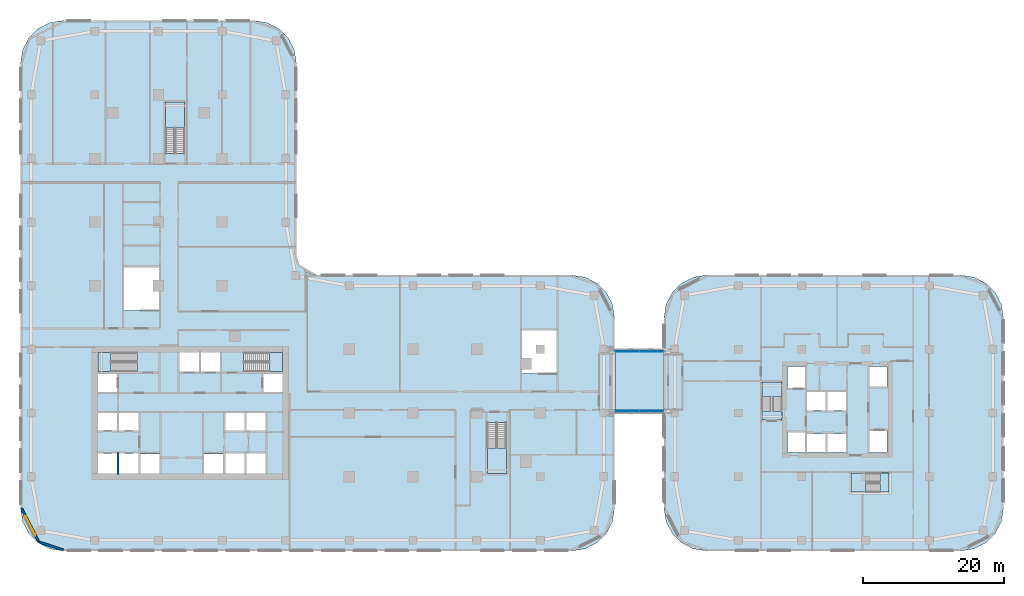
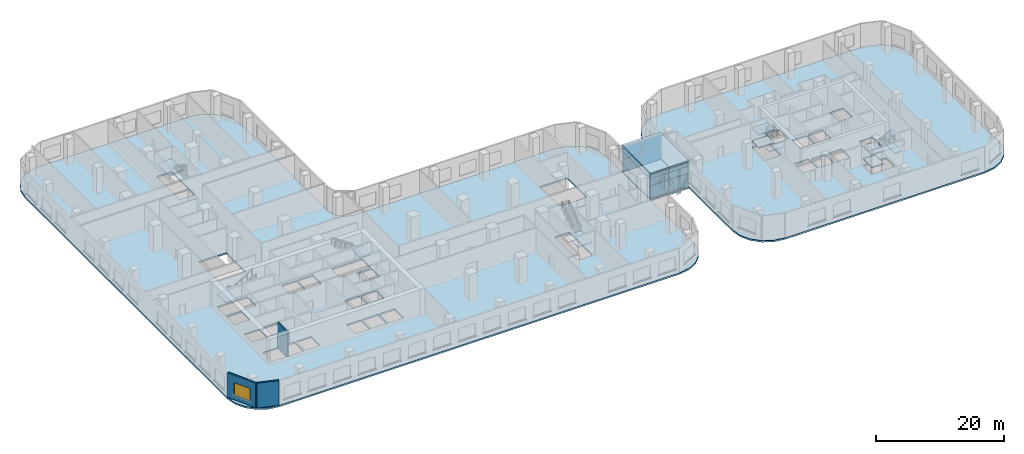
# One storey, part 5 of 33: 14 slabs, 8 plates, 3 walls, 1 window, 1 opening, 8 elements without a shape of their own.
"""IFC4 building model written with IfcOpenShell, lengths in metres."""

import ifcopenshell
import ifcopenshell.guid

model = None  # the IFC model being written
_history = None  # IfcOwnerHistory: only IFC2X3 demands one
_inside = {}  # id of a spatial element -> (the spatial element, [elements in it])
_under = {}  # id of a project, library or spatial element -> (it, [spatial elements below it])
_declared = {}  # id of a project -> (the project, [libraries it declares])
_typed = {}  # id of a type object -> (the type object, [elements of that type])
_made_of = {}  # id of a material, layer set ... -> (it, [elements and type objects made of it])


def new_model(schema):
    """Start an empty IFC model of exactly this schema.

    Asked for "IFC4X3", IfcOpenShell would pick the latest addendum, in which some entities
    have other attributes; the version numbers below select the first issue.
    IFC2X3 requires an IfcOwnerHistory on every rooted entity: one is made here for all.
    """
    global model, _history
    if schema == "IFC4X3":
        model = ifcopenshell.file(schema_version=(4, 3, 0, 0))
    else:
        model = ifcopenshell.file(schema=schema)
    _inside.clear()
    _under.clear()
    _declared.clear()
    _typed.clear()
    _made_of.clear()
    _history = None
    if model.schema == "IFC2X3":
        org = make("IfcOrganization", Name="unknown")
        user = make(
            "IfcPersonAndOrganization",
            ThePerson=make("IfcPerson", FamilyName="unknown"),
            TheOrganization=org,
        )
        app = make(
            "IfcApplication",
            ApplicationDeveloper=org,
            Version="unknown",
            ApplicationFullName="unknown",
            ApplicationIdentifier="unknown",
        )
        _history = make(
            "IfcOwnerHistory",
            OwningUser=user,
            OwningApplication=app,
            ChangeAction="ADDED",
            CreationDate=0,
        )
    return model


def make(cls, **values):
    """One entity of the class cls with the attributes given. An attribute that is None is left unset."""
    return model.create_entity(
        cls, **{name: value for name, value in values.items() if value is not None}
    )


def rooted(cls, **values):
    """An entity with a GlobalId (a new one), such as an element, a storey or a relation."""
    return make(cls, GlobalId=ifcopenshell.guid.new(), OwnerHistory=_history, **values)


def si_unit(unit_type, name, prefix=None):
    """IfcSIUnit, for example si_unit("LENGTHUNIT", "METRE", prefix="MILLI")."""
    return make("IfcSIUnit", UnitType=unit_type, Prefix=prefix, Name=name)


def assignment(units):
    """IfcUnitAssignment: the units of a project."""
    return None if units is None else make("IfcUnitAssignment", Units=units)


def point(xyz):
    """IfcCartesianPoint."""
    return None if xyz is None else make("IfcCartesianPoint", Coordinates=xyz)


def direction(xyz):
    """IfcDirection."""
    return None if xyz is None else make("IfcDirection", DirectionRatios=xyz)


def frame(location, z_axis=None, x_axis=None):
    """IfcAxis2Placement3D, a coordinate frame: its origin and axes. An axis left out is left unset."""
    return make(
        "IfcAxis2Placement3D",
        Location=point(location),
        Axis=direction(z_axis),
        RefDirection=direction(x_axis),
    )


def frame_2d(location, x_axis=None):
    """IfcAxis2Placement2D, a coordinate frame in the plane: its origin and x axis."""
    return make(
        "IfcAxis2Placement2D", Location=point(location), RefDirection=direction(x_axis)
    )


def origin():
    """The frame at (0, 0, 0) with its axes left unset."""
    return frame((0.0, 0.0, 0.0))


def origin_2d():
    """The frame at (0, 0) in the plane with its x axis left unset."""
    return frame_2d((0.0, 0.0))


def place(relative_to, where):
    """IfcLocalPlacement: puts the frame where relative to a parent placement (None: the world)."""
    return make(
        "IfcLocalPlacement", PlacementRelTo=relative_to, RelativePlacement=where
    )


def context(
    kind, dimensions, precision=None, world=None, true_north=None, identifier=None
):
    """IfcGeometricRepresentationContext, for example the 3D "Model" context."""
    return make(
        "IfcGeometricRepresentationContext",
        ContextIdentifier=identifier,
        ContextType=kind,
        CoordinateSpaceDimension=dimensions,
        Precision=precision,
        WorldCoordinateSystem=world,
        TrueNorth=true_north,
    )


def subcontext(parent, identifier, kind, view, scale=None):
    """IfcGeometricRepresentationSubContext, for example "Body" below "Model"."""
    return make(
        "IfcGeometricRepresentationSubContext",
        ContextIdentifier=identifier,
        ContextType=kind,
        ParentContext=parent,
        TargetScale=scale,
        TargetView=view,
    )


def project(units=None, contexts=None):
    """IfcProject with its units and contexts."""
    return rooted(
        "IfcProject",
        Name="project",
        RepresentationContexts=contexts,
        UnitsInContext=assignment(units),
    )


def spatial(cls, under=None, at=None, **own):
    """A site, building, storey or space (cls), placed at a placement, below another one or the project."""
    s = rooted(cls, ObjectPlacement=at, **own)
    if under is not None:
        _under.setdefault(under.id(), (under, []))[1].append(s)
    return s


def polyline(points):
    """IfcPolyline through the points."""
    return make("IfcPolyline", Points=[point(p) for p in points])


def profile(cls, at=None, kind="AREA", **sizes):
    """A parametric profile (cls). Its sizes go by their IFC names, for example OverallWidth=200.0."""
    return make(cls, ProfileType=kind, Position=at, **sizes)


def rectangle(**sizes):
    """IfcRectangleProfileDef."""
    return profile("IfcRectangleProfileDef", **sizes)


def outline(outer, holes=None, kind="AREA"):
    """IfcArbitraryClosedProfileDef: a profile drawn as a closed curve; with holes, ...WithVoids."""
    if holes is None:
        return make("IfcArbitraryClosedProfileDef", ProfileType=kind, OuterCurve=outer)
    return make(
        "IfcArbitraryProfileDefWithVoids",
        ProfileType=kind,
        OuterCurve=outer,
        InnerCurves=holes,
    )


def extrude(swept, where, along, depth):
    """IfcExtrudedAreaSolid: the profile swept, set in the frame where, extruded along a direction by depth."""
    return make(
        "IfcExtrudedAreaSolid",
        SweptArea=swept,
        Position=where,
        ExtrudedDirection=direction(along),
        Depth=depth,
    )


def shape(context_of_items, identifier, shape_type, items):
    """IfcShapeRepresentation: the items that make up one representation, for example the "Body"."""
    return make(
        "IfcShapeRepresentation",
        ContextOfItems=context_of_items,
        RepresentationIdentifier=identifier,
        RepresentationType=shape_type,
        Items=items,
    )


def material(Name=None, Category=None):
    """IfcMaterial."""
    return make("IfcMaterial", Name=Name, Category=Category)


def layer(
    of_material, thickness, ventilated=None, Name=None, Category=None, Priority=None
):
    """IfcMaterialLayer: one layer of a wall or slab, of a material (None: an air gap)."""
    return make(
        "IfcMaterialLayer",
        Material=of_material,
        LayerThickness=thickness,
        IsVentilated=ventilated,
        Name=Name,
        Category=Category,
        Priority=Priority,
    )


def layer_set(layers, Name=None):
    """IfcMaterialLayerSet."""
    return make("IfcMaterialLayerSet", MaterialLayers=layers, LayerSetName=Name)


def made_of(thing, what):
    """Note that an element or type object is made of a material, layer set ...; save() writes the relation."""
    if what is not None:
        _made_of.setdefault(what.id(), (what, []))[1].append(thing)
    return thing


def type_object(cls, material=None, **own):
    """A type object (cls), such as IfcWallType, which elements share."""
    return made_of(rooted(cls, **own), material)


def element(
    cls,
    number,
    at=None,
    inside=None,
    cuts=None,
    type_object=None,
    material=None,
    context=None,
    identifier="Body",
    shape_type=None,
    held_by="IfcProductDefinitionShape",
    body=None,
    shapes=None,
    **own,
):
    """One element of the class cls, such as IfcWall. Its Tag is "e" and its number.

    at: its placement. inside: the storey or other place that contains it. cuts: it is an
    opening in that element (IfcRelVoidsElement). A single representation is given by context,
    identifier, shape_type and body (its items); several are given by shapes. held_by: the class
    of the entity that holds the representations. save() writes the other relations.
    """
    e = rooted(cls, Tag="e%d" % number, ObjectPlacement=at, **own)
    if body is not None:
        shapes = [shape(context, identifier, shape_type, body)]
    if shapes is not None:
        e.Representation = make(held_by, Representations=shapes)
    if inside is not None:
        _inside.setdefault(inside.id(), (inside, []))[1].append(e)
    if cuts is not None:
        rooted(
            "IfcRelVoidsElement", RelatingBuildingElement=cuts, RelatedOpeningElement=e
        )
    if type_object is not None:
        _typed.setdefault(type_object.id(), (type_object, []))[1].append(e)
    return made_of(e, material)


def fill(opening, filler):
    """IfcRelFillsElement: the door or window that sits in an opening."""
    return rooted(
        "IfcRelFillsElement",
        RelatingOpeningElement=opening,
        RelatedBuildingElement=filler,
    )


def aggregate(whole, parts):
    """IfcRelAggregates: a whole, such as a stair, and the parts it consists of."""
    return rooted("IfcRelAggregates", RelatingObject=whole, RelatedObjects=parts)


def save(model, path):
    """Write the relations noted so far, then the file.

    IfcRelAggregates (storeys below a building ...), IfcRelContainedInSpatialStructure (elements
    in a storey), IfcRelDefinesByType, IfcRelAssociatesMaterial and IfcRelDeclares: one each for
    every whole, place, type object, material and project.
    """
    for whole, parts in _under.values():
        aggregate(whole, parts)
    for where, things in _inside.values():
        rooted(
            "IfcRelContainedInSpatialStructure",
            RelatedElements=things,
            RelatingStructure=where,
        )
    for kind, things in _typed.values():
        rooted("IfcRelDefinesByType", RelatedObjects=things, RelatingType=kind)
    for what, things in _made_of.values():
        rooted("IfcRelAssociatesMaterial", RelatedObjects=things, RelatingMaterial=what)
    for by, libraries in _declared.values():
        rooted("IfcRelDeclares", RelatingContext=by, RelatedDefinitions=libraries)
    model.write(path)


model = new_model("IFC4")

# Units and contexts
model_context = context("Model", 3, precision=1e-05, world=origin(), true_north=direction((0.0, 1.0)))
body_context = subcontext(model_context, "Body", "Model", "MODEL_VIEW")
ifc_project = project(units=[si_unit("LENGTHUNIT", "METRE"), si_unit("AREAUNIT", "SQUARE_METRE"), si_unit("VOLUMEUNIT", "CUBIC_METRE"), si_unit("PLANEANGLEUNIT", "RADIAN"), si_unit("MASSUNIT", "GRAM", prefix="KILO")], contexts=[model_context])

# Site, building, storey
site_placement = place(None, origin())
site = spatial("IfcSite", under=ifc_project, at=site_placement, CompositionType="ELEMENT")
building_placement = place(site_placement, origin())
building = spatial("IfcBuilding", under=site, at=building_placement, Name="Ogive Portal Towers", CompositionType="ELEMENT")
storey_placement = place(building_placement, frame((0.0, 0.0, 28.5)))
storey = spatial("IfcBuildingStorey", under=building, at=storey_placement, Name="L05", CompositionType="ELEMENT", Elevation=28.5)

# Curtain wall, plates
ifc_material_1 = material(Name="Glass, clear low-iron insulated glazing", Category="glass")
curtain_wall_type = type_object("IfcCurtainWallType", Name="CW LINK ENCLOSURE", PredefinedType="NOTDEFINED", material=ifc_material_1)
curtain_wall_1_placement = place(storey_placement, origin())
curtain_wall_1 = element("IfcCurtainWall", 1, at=curtain_wall_1_placement, inside=storey, type_object=curtain_wall_type, Name="A:L05:link:s", PredefinedType="NOTDEFINED")
ifc_material_2 = material(Name="Aluminium composite spandrel panel, insulated", Category="aluminium")
ifc_layer_1 = layer(ifc_material_2, 0.06005859375)
ifc_layer_set_1 = layer_set([ifc_layer_1], Name="CW PANEL SPANDREL 60")
plate_type = type_object("IfcPlateType", Name="CW PANEL SPANDREL 60", PredefinedType="CURTAIN_PANEL", material=ifc_layer_set_1)
plate_1_placement = place(storey_placement, frame((106.77490234375, 30.800048828125, 0.0), z_axis=(0.0, 0.0, 1.0), x_axis=(1.0, 0.0, 0.0)))
plate_1 = element("IfcPlate", 2, at=plate_1_placement, type_object=plate_type, Name="spandrel panel", PredefinedType="CURTAIN_PANEL", context=body_context, shape_type="SweptSolid", body=[
    extrude(rectangle(XDim=3.389892578125, YDim=0.06005859375, at=origin_2d()), origin(), (0.0, 0.0, 1.0), 2.3701171875),
])
plate_2_placement = place(storey_placement, frame((106.77490234375, 30.800048828125, 2.429931640625), z_axis=(0.0, 0.0, 1.0), x_axis=(1.0, 0.0, 0.0)))
plate_2 = element("IfcPlate", 3, at=plate_2_placement, type_object=plate_type, Name="spandrel panel", PredefinedType="CURTAIN_PANEL", context=body_context, shape_type="SweptSolid", body=[
    extrude(rectangle(XDim=3.389892578125, YDim=0.06005859375, at=origin_2d()), origin(), (0.0, 0.0, 1.0), 2.2099609375),
])
plate_3_placement = place(storey_placement, frame((110.22509765625, 30.800048828125, 0.0), z_axis=(0.0, 0.0, 1.0), x_axis=(1.0, 0.0, 0.0)))
plate_3 = element("IfcPlate", 4, at=plate_3_placement, type_object=plate_type, Name="spandrel panel", PredefinedType="CURTAIN_PANEL", context=body_context, shape_type="SweptSolid", body=[
    extrude(rectangle(XDim=3.389892578125, YDim=0.06005859375, at=origin_2d()), origin(), (0.0, 0.0, 1.0), 2.3701171875),
])
plate_4_placement = place(storey_placement, frame((110.22509765625, 30.800048828125, 2.429931640625), z_axis=(0.0, 0.0, 1.0), x_axis=(1.0, 0.0, 0.0)))
plate_4 = element("IfcPlate", 5, at=plate_4_placement, type_object=plate_type, Name="spandrel panel", PredefinedType="CURTAIN_PANEL", context=body_context, shape_type="SweptSolid", body=[
    extrude(rectangle(XDim=3.389892578125, YDim=0.06005859375, at=origin_2d()), origin(), (0.0, 0.0, 1.0), 2.2099609375),
])
aggregate(curtain_wall_1, [plate_1, plate_2, plate_3, plate_4])

curtain_wall_2_placement = place(storey_placement, origin())
curtain_wall_2 = element("IfcCurtainWall", 6, at=curtain_wall_2_placement, inside=storey, type_object=curtain_wall_type, Name="A:L05:link:n", PredefinedType="NOTDEFINED")
plate_5_placement = place(storey_placement, frame((106.77490234375, 39.199951171875, 0.0), z_axis=(0.0, 0.0, 1.0), x_axis=(1.0, 0.0, 0.0)))
plate_5 = element("IfcPlate", 7, at=plate_5_placement, type_object=plate_type, Name="spandrel panel", PredefinedType="CURTAIN_PANEL", context=body_context, shape_type="SweptSolid", body=[
    extrude(rectangle(XDim=3.389892578125, YDim=0.06005859375, at=origin_2d()), origin(), (0.0, 0.0, 1.0), 2.3701171875),
])
plate_6_placement = place(storey_placement, frame((106.77490234375, 39.199951171875, 2.429931640625), z_axis=(0.0, 0.0, 1.0), x_axis=(1.0, 0.0, 0.0)))
plate_6 = element("IfcPlate", 8, at=plate_6_placement, type_object=plate_type, Name="spandrel panel", PredefinedType="CURTAIN_PANEL", context=body_context, shape_type="SweptSolid", body=[
    extrude(rectangle(XDim=3.389892578125, YDim=0.06005859375, at=origin_2d()), origin(), (0.0, 0.0, 1.0), 2.2099609375),
])
plate_7_placement = place(storey_placement, frame((110.22509765625, 39.199951171875, 0.0), z_axis=(0.0, 0.0, 1.0), x_axis=(1.0, 0.0, 0.0)))
plate_7 = element("IfcPlate", 9, at=plate_7_placement, type_object=plate_type, Name="spandrel panel", PredefinedType="CURTAIN_PANEL", context=body_context, shape_type="SweptSolid", body=[
    extrude(rectangle(XDim=3.389892578125, YDim=0.06005859375, at=origin_2d()), origin(), (0.0, 0.0, 1.0), 2.3701171875),
])
plate_8_placement = place(storey_placement, frame((110.22509765625, 39.199951171875, 2.429931640625), z_axis=(0.0, 0.0, 1.0), x_axis=(1.0, 0.0, 0.0)))
plate_8 = element("IfcPlate", 10, at=plate_8_placement, type_object=plate_type, Name="spandrel panel", PredefinedType="CURTAIN_PANEL", context=body_context, shape_type="SweptSolid", body=[
    extrude(rectangle(XDim=3.389892578125, YDim=0.06005859375, at=origin_2d()), origin(), (0.0, 0.0, 1.0), 2.2099609375),
])
aggregate(curtain_wall_2, [plate_5, plate_6, plate_7, plate_8])

# Stair, slab
ifc_material_3 = material(Name="Concrete C40/50", Category="concrete")
stair_type = type_object("IfcStairType", Name="INT-STAIR", PredefinedType="HALF_TURN_STAIR", material=ifc_material_3)
stair_1_placement = place(storey_placement, origin())
stair_1 = element("IfcStair", 11, at=stair_1_placement, inside=storey, type_object=stair_type, Name="L05 Exit Stair ST-A1", PredefinedType="HALF_TURN_STAIR")
ifc_layer_2 = layer(ifc_material_3, 0.199951171875)
ifc_layer_set_2 = layer_set([ifc_layer_2], Name="INT-LANDING")
slab_type_1 = type_object("IfcSlabType", Name="INT-LANDING", PredefinedType="LANDING", material=ifc_layer_set_2)
slab_1_placement = place(storey_placement, frame((0.0, 0.0, 2.300048828125)))
slab_1 = element("IfcSlab", 12, at=slab_1_placement, type_object=slab_type_1, Name="ST-A1 landing 1", PredefinedType="LANDING", context=body_context, shape_type="SweptSolid", body=[
    extrude(outline(polyline([(33.81005859375, 39.050048828125), (31.949951171875, 39.050048828125), (31.949951171875, 36.35009765625), (33.81005859375, 36.35009765625), (33.81005859375, 39.050048828125)])), origin(), (0.0, 0.0, 1.0), 0.199951171875),
])
aggregate(stair_1, [slab_1])

stair_2_placement = place(storey_placement, origin())
stair_2 = element("IfcStair", 13, at=stair_2_placement, inside=storey, type_object=stair_type, Name="L05 Exit Stair ST-A2", PredefinedType="HALF_TURN_STAIR")
slab_2_placement = place(storey_placement, frame((0.0, 0.0, 2.300048828125)))
slab_2 = element("IfcSlab", 14, at=slab_2_placement, type_object=slab_type_1, Name="ST-A2 landing 1", PredefinedType="LANDING", context=body_context, shape_type="SweptSolid", body=[
    extrude(outline(polyline([(56.18994140625, 36.35009765625), (58.050048828125, 36.35009765625), (58.050048828125, 39.050048828125), (56.18994140625, 39.050048828125), (56.18994140625, 36.35009765625)])), origin(), (0.0, 0.0, 1.0), 0.199951171875),
])
aggregate(stair_2, [slab_2])

stair_3_placement = place(storey_placement, origin())
stair_3 = element("IfcStair", 15, at=stair_3_placement, inside=storey, type_object=stair_type, Name="L05 Exit Stair ST-A3", PredefinedType="HALF_TURN_STAIR")
slab_3_placement = place(storey_placement, frame((0.0, 0.0, 2.300048828125)))
slab_3 = element("IfcSlab", 16, at=slab_3_placement, type_object=slab_type_1, Name="ST-A3 landing 1", PredefinedType="LANDING", context=body_context, shape_type="SweptSolid", body=[
    extrude(outline(polyline([(44.199951171875, 70.840087890625), (44.199951171875, 74.449951171875), (41.5, 74.449951171875), (41.5, 70.840087890625), (44.199951171875, 70.840087890625)])), origin(), (0.0, 0.0, 1.0), 0.199951171875),
])
aggregate(stair_3, [slab_3])

stair_4_placement = place(storey_placement, origin())
stair_4 = element("IfcStair", 17, at=stair_4_placement, inside=storey, type_object=stair_type, Name="L05 Exit Stair ST-A4", PredefinedType="HALF_TURN_STAIR")
slab_4_placement = place(storey_placement, frame((0.0, 0.0, 2.300048828125)))
slab_4 = element("IfcSlab", 18, at=slab_4_placement, type_object=slab_type_1, Name="ST-A4 landing 1", PredefinedType="LANDING", context=body_context, shape_type="SweptSolid", body=[
    extrude(outline(polyline([(87.0, 25.530029296875), (87.0, 21.949951171875), (89.699951171875, 21.949951171875), (89.699951171875, 25.530029296875), (87.0, 25.530029296875)])), origin(), (0.0, 0.0, 1.0), 0.199951171875),
])
aggregate(stair_4, [slab_4])

# Stair, slabs
stair_5_placement = place(storey_placement, origin())
stair_5 = element("IfcStair", 19, at=stair_5_placement, inside=storey, type_object=stair_type, Name="L05 Exit Stair ST-B1", PredefinedType="HALF_TURN_STAIR")
slab_5_placement = place(storey_placement, frame((0.0, 0.0, 1.050048828125)))
slab_5 = element("IfcSlab", 20, at=slab_5_placement, type_object=slab_type_1, Name="ST-B1 landing 1", PredefinedType="LANDING", context=body_context, shape_type="SweptSolid", body=[
    extrude(outline(polyline([(128.699951171875, 32.760009765625), (128.699951171875, 34.89990234375), (125.85009765625, 34.89990234375), (125.85009765625, 32.760009765625), (128.699951171875, 32.760009765625)])), origin(), (0.0, 0.0, 1.0), 0.199951171875),
])
slab_6_placement = place(storey_placement, frame((0.0, 0.0, 2.300048828125)))
slab_6 = element("IfcSlab", 21, at=slab_6_placement, type_object=slab_type_1, Name="ST-B1 landing 2", PredefinedType="LANDING", context=body_context, shape_type="SweptSolid", body=[
    extrude(outline(polyline([(128.699951171875, 29.5), (128.699951171875, 30.800048828125), (125.85009765625, 30.800048828125), (125.85009765625, 29.5), (128.699951171875, 29.5)])), origin(), (0.0, 0.0, 1.0), 0.199951171875),
])
slab_7_placement = place(storey_placement, frame((0.0, 0.0, 3.550048828125)))
slab_7 = element("IfcSlab", 22, at=slab_7_placement, type_object=slab_type_1, Name="ST-B1 landing 3", PredefinedType="LANDING", context=body_context, shape_type="SweptSolid", body=[
    extrude(outline(polyline([(128.699951171875, 32.760009765625), (128.699951171875, 34.89990234375), (125.85009765625, 34.89990234375), (125.85009765625, 32.760009765625), (128.699951171875, 32.760009765625)])), origin(), (0.0, 0.0, 1.0), 0.199951171875),
])
aggregate(stair_5, [slab_5, slab_6, slab_7])

stair_6_placement = place(storey_placement, origin())
stair_6 = element("IfcStair", 23, at=stair_6_placement, inside=storey, type_object=stair_type, Name="L05 Exit Stair ST-B2", PredefinedType="HALF_TURN_STAIR")
slab_8_placement = place(storey_placement, frame((0.0, 0.0, 1.050048828125)))
slab_8 = element("IfcSlab", 24, at=slab_8_placement, type_object=slab_type_1, Name="ST-B2 landing 1", PredefinedType="LANDING", context=body_context, shape_type="SweptSolid", body=[
    extrude(outline(polyline([(140.590087890625, 22.0), (138.449951171875, 22.0), (138.449951171875, 19.300048828125), (140.590087890625, 19.300048828125), (140.590087890625, 22.0)])), origin(), (0.0, 0.0, 1.0), 0.199951171875),
])
slab_9_placement = place(storey_placement, frame((0.0, 0.0, 2.300048828125)))
slab_9 = element("IfcSlab", 25, at=slab_9_placement, type_object=slab_type_1, Name="ST-B2 landing 2", PredefinedType="LANDING", context=body_context, shape_type="SweptSolid", body=[
    extrude(outline(polyline([(143.85009765625, 22.0), (142.550048828125, 22.0), (142.550048828125, 19.300048828125), (143.85009765625, 19.300048828125), (143.85009765625, 22.0)])), origin(), (0.0, 0.0, 1.0), 0.199951171875),
])
slab_10_placement = place(storey_placement, frame((0.0, 0.0, 3.550048828125)))
slab_10 = element("IfcSlab", 26, at=slab_10_placement, type_object=slab_type_1, Name="ST-B2 landing 3", PredefinedType="LANDING", context=body_context, shape_type="SweptSolid", body=[
    extrude(outline(polyline([(140.590087890625, 22.0), (138.449951171875, 22.0), (138.449951171875, 19.300048828125), (140.590087890625, 19.300048828125), (140.590087890625, 22.0)])), origin(), (0.0, 0.0, 1.0), 0.199951171875),
])
aggregate(stair_6, [slab_8, slab_9, slab_10])

# Slabs
ifc_material_4 = material(Name="Concrete C45/55", Category="concrete")
ifc_layer_3 = layer(ifc_material_4, 0.300048828125)
ifc_layer_set_3 = layer_set([ifc_layer_3], Name="PT FLAT PLATE 300")
slab_type_2 = type_object("IfcSlabType", Name="PT FLAT PLATE 300", PredefinedType="FLOOR", material=ifc_layer_set_3)
slab_11_placement = place(storey_placement, frame((0.0, 0.0, -0.300048828125)))
element("IfcSlab", 27, at=slab_11_placement, inside=storey, type_object=slab_type_2, Name="Floor slab L05", PredefinedType="FLOOR", context=body_context, shape_type="SweptSolid", body=[
    extrude(outline(polyline([(21.0, 80.0), (21.0, 17.0), (21.293701171875, 15.14599609375), (22.14599609375, 13.473388671875), (23.473388671875, 12.14599609375), (25.14599609375, 11.293701171875), (27.0, 11.0), (99.0, 11.0), (100.85400390625, 11.293701171875), (102.526611328125, 12.14599609375), (103.85400390625, 13.473388671875), (104.706298828125, 15.14599609375), (105.0, 17.0), (105.0, 44.0), (104.706298828125, 45.85400390625), (103.85400390625, 47.526611328125), (102.526611328125, 48.85400390625), (100.85400390625, 49.706298828125), (99.0, 50.0), (63.0, 50.0), (61.5, 50.40185546875), (60.40185546875, 51.5), (60.0, 53.0), (60.0, 80.0), (59.706298828125, 81.85400390625), (58.85400390625, 83.526611328125), (57.526611328125, 84.85400390625), (55.85400390625, 85.706298828125), (54.0, 86.0), (27.0, 86.0), (25.14599609375, 85.706298828125), (23.473388671875, 84.85400390625), (22.14599609375, 83.526611328125), (21.293701171875, 81.85400390625), (21.0, 80.0)]), holes=[polyline([(34.64990234375, 24.75), (34.64990234375, 21.949951171875), (31.949951171875, 21.949951171875), (31.949951171875, 24.75), (34.64990234375, 24.75)]), polyline([(37.64990234375, 24.75), (37.64990234375, 21.949951171875), (34.949951171875, 21.949951171875), (34.949951171875, 24.75), (37.64990234375, 24.75)]), polyline([(40.6298828125, 21.969970703125), (37.969970703125, 21.969970703125), (37.969970703125, 24.72998046875), (40.6298828125, 24.72998046875), (40.6298828125, 21.969970703125)]), polyline([(34.64990234375, 28.050048828125), (31.949951171875, 28.050048828125), (31.949951171875, 30.5), (34.64990234375, 30.5), (34.64990234375, 28.050048828125)]), polyline([(37.64990234375, 28.050048828125), (34.949951171875, 28.050048828125), (34.949951171875, 30.5), (37.64990234375, 30.5), (37.64990234375, 28.050048828125)]), polyline([(34.64990234375, 36.050048828125), (34.64990234375, 33.5), (31.949951171875, 33.5), (31.949951171875, 36.050048828125), (34.64990234375, 36.050048828125)]), polyline([(37.447998046875, 39.048095703125), (37.447998046875, 36.35205078125), (31.951904296875, 36.35205078125), (31.951904296875, 39.048095703125), (37.447998046875, 39.048095703125)]), polyline([(46.199951171875, 36.35009765625), (43.5, 36.35009765625), (43.5, 39.050048828125), (46.199951171875, 39.050048828125), (46.199951171875, 36.35009765625)]), polyline([(49.199951171875, 39.050048828125), (49.199951171875, 36.35009765625), (46.5, 36.35009765625), (46.5, 39.050048828125), (49.199951171875, 39.050048828125)]), polyline([(40.548095703125, 45.001953125), (35.652099609375, 45.001953125), (35.652099609375, 51.097900390625), (40.548095703125, 51.097900390625), (40.548095703125, 45.001953125)]), polyline([(44.197998046875, 67.201904296875), (41.501953125, 67.201904296875), (41.501953125, 74.447998046875), (44.197998046875, 74.447998046875), (44.197998046875, 67.201904296875)]), polyline([(49.6298828125, 21.969970703125), (46.969970703125, 21.969970703125), (46.969970703125, 24.72998046875), (49.6298828125, 24.72998046875), (49.6298828125, 21.969970703125)]), polyline([(52.64990234375, 24.75), (52.64990234375, 21.949951171875), (49.949951171875, 21.949951171875), (49.949951171875, 24.75), (52.64990234375, 24.75)]), polyline([(55.64990234375, 21.949951171875), (52.949951171875, 21.949951171875), (52.949951171875, 24.75), (55.64990234375, 24.75), (55.64990234375, 21.949951171875)]), polyline([(87.001953125, 29.16796875), (89.697998046875, 29.16796875), (89.697998046875, 21.951904296875), (87.001953125, 21.951904296875), (87.001953125, 29.16796875)]), polyline([(52.64990234375, 30.5), (52.64990234375, 28.050048828125), (49.949951171875, 28.050048828125), (49.949951171875, 30.5), (52.64990234375, 30.5)]), polyline([(55.64990234375, 28.050048828125), (52.949951171875, 28.050048828125), (52.949951171875, 30.5), (55.64990234375, 30.5), (55.64990234375, 28.050048828125)]), polyline([(58.050048828125, 36.050048828125), (58.050048828125, 33.5), (55.35009765625, 33.5), (55.35009765625, 36.050048828125), (58.050048828125, 36.050048828125)]), polyline([(52.552001953125, 36.35205078125), (52.552001953125, 39.048095703125), (58.048095703125, 39.048095703125), (58.048095703125, 36.35205078125), (52.552001953125, 36.35205078125)]), polyline([(96.798095703125, 36.052001953125), (91.902099609375, 36.052001953125), (91.902099609375, 42.14794921875), (96.798095703125, 42.14794921875), (96.798095703125, 36.052001953125)])]), origin(), (0.0, 0.0, 1.0), 0.300048828125),
])
slab_12_placement = place(storey_placement, frame((0.0, 0.0, -0.300048828125)))
element("IfcSlab", 28, at=slab_12_placement, inside=storey, type_object=slab_type_2, Name="Floor slab L05", PredefinedType="FLOOR", context=body_context, shape_type="SweptSolid", body=[
    extrude(outline(polyline([(112.0, 44.0), (112.0, 17.0), (112.293701171875, 15.14599609375), (113.14599609375, 13.473388671875), (114.473388671875, 12.14599609375), (116.14599609375, 11.293701171875), (118.0, 11.0), (154.0, 11.0), (155.85400390625, 11.293701171875), (157.526611328125, 12.14599609375), (158.85400390625, 13.473388671875), (159.706298828125, 15.14599609375), (160.0, 17.0), (160.0, 44.0), (159.706298828125, 45.85400390625), (158.85400390625, 47.526611328125), (157.526611328125, 48.85400390625), (155.85400390625, 49.706298828125), (154.0, 50.0), (118.0, 50.0), (116.14599609375, 49.706298828125), (114.473388671875, 48.85400390625), (113.14599609375, 47.526611328125), (112.293701171875, 45.85400390625), (112.0, 44.0)]), holes=[polyline([(128.697998046875, 34.89794921875), (128.697998046875, 30.802001953125), (125.85205078125, 30.802001953125), (125.85205078125, 34.89794921875), (128.697998046875, 34.89794921875)]), polyline([(131.949951171875, 37.050048828125), (131.949951171875, 34.050048828125), (129.449951171875, 34.050048828125), (129.449951171875, 37.050048828125), (131.949951171875, 37.050048828125)]), polyline([(138.451904296875, 21.998046875), (142.548095703125, 21.998046875), (142.548095703125, 19.302001953125), (138.451904296875, 19.302001953125), (138.451904296875, 21.998046875)]), polyline([(134.85009765625, 27.550048828125), (134.85009765625, 24.949951171875), (132.25, 24.949951171875), (132.25, 27.550048828125), (134.85009765625, 27.550048828125)]), polyline([(137.75, 27.550048828125), (137.75, 24.949951171875), (135.14990234375, 24.949951171875), (135.14990234375, 27.550048828125), (137.75, 27.550048828125)]), polyline([(131.949951171875, 27.75), (131.949951171875, 24.949951171875), (129.449951171875, 24.949951171875), (129.449951171875, 27.75), (131.949951171875, 27.75)]), polyline([(143.550048828125, 27.949951171875), (143.550048828125, 24.949951171875), (141.050048828125, 24.949951171875), (141.050048828125, 27.949951171875), (143.550048828125, 27.949951171875)]), polyline([(134.85009765625, 33.449951171875), (134.85009765625, 30.85009765625), (132.25, 30.85009765625), (132.25, 33.449951171875), (134.85009765625, 33.449951171875)]), polyline([(137.75, 33.449951171875), (137.75, 30.85009765625), (135.14990234375, 30.85009765625), (135.14990234375, 33.449951171875), (137.75, 33.449951171875)]), polyline([(143.550048828125, 37.050048828125), (143.550048828125, 34.25), (141.050048828125, 34.25), (141.050048828125, 37.050048828125), (143.550048828125, 37.050048828125)])]), origin(), (0.0, 0.0, 1.0), 0.300048828125),
])
slab_13_placement = place(storey_placement, frame((0.0, 0.0, -0.300048828125)))
element("IfcSlab", 29, at=slab_13_placement, inside=storey, type_object=slab_type_2, Name="Link floor L05", PredefinedType="FLOOR", context=body_context, shape_type="SweptSolid", body=[
    extrude(outline(polyline([(111.949951171875, 30.5), (111.949951171875, 39.5), (105.050048828125, 39.5), (105.050048828125, 30.5), (111.949951171875, 30.5)])), origin(), (0.0, 0.0, 1.0), 0.300048828125),
])
ifc_layer_4 = layer(ifc_material_4, 0.300048828125)
ifc_layer_set_4 = layer_set([ifc_layer_4], Name="PT ROOF SLAB 300")
slab_type_3 = type_object("IfcSlabType", Name="PT ROOF SLAB 300", PredefinedType="ROOF", material=ifc_layer_set_4)
slab_14_placement = place(storey_placement, frame((0.0, 0.0, 4.699951171875)))
element("IfcSlab", 30, at=slab_14_placement, inside=storey, type_object=slab_type_3, Name="Link roof", PredefinedType="ROOF", context=body_context, shape_type="SweptSolid", body=[
    extrude(outline(polyline([(111.949951171875, 30.5), (111.949951171875, 39.5), (105.050048828125, 39.5), (105.050048828125, 30.5), (111.949951171875, 30.5)])), origin(), (0.0, 0.0, 1.0), 0.300048828125),
])

# Wall, opening, window
ifc_material_5 = material(Name="Limestone cladding on lightweight block wall", Category="masonry")
ifc_layer_5 = layer(ifc_material_5, 0.300048828125)
ifc_layer_set_5 = layer_set([ifc_layer_5], Name="EXTERNAL WALL 300 STONE")
wall_type_1 = type_object("IfcWallType", Name="EXTERNAL WALL 300 STONE", PredefinedType="SOLIDWALL", material=ifc_layer_set_5)
wall_1_placement = place(storey_placement, frame((21.166259765625, 17.00390625, 0.0), z_axis=(0.0, 0.0, 1.0), x_axis=(0.454006562826, -0.890998339455, 0.0)))
wall_1 = element("IfcWall", 31, at=wall_1_placement, inside=storey, type_object=wall_type_1, Name="A:L05:f00:w0", PredefinedType="SOLIDWALL", context=body_context, shape_type="SweptSolid", body=[
    extrude(rectangle(XDim=5.251708984375, YDim=0.300048828125, at=frame_2d((2.6259765625, 0.0))), origin(), (0.0, 0.0, 1.0), 4.699951171875),
])
opening_placement = place(wall_1_placement, frame((1.223876953125, 0.0, 0.89990234375)))
opening = element("IfcOpeningElement", 32, at=opening_placement, cuts=wall_1, Name="Opening WN3", PredefinedType="OPENING", context=body_context, shape_type="SweptSolid", body=[
    extrude(rectangle(XDim=3.0, YDim=2.39990234375, at=frame_2d((1.5, 1.199951171875))), frame((0.0, 0.16015625, 0.0), z_axis=(0.0, -1.0, 0.0), x_axis=(1.0, 0.0, 0.0)), (0.0, 0.0, 1.0), 0.320068359375),
])
window_type = type_object("IfcWindowType", Name="WINDOW PODIUM 3000x2400", PartitioningType="SINGLE_PANEL", PredefinedType="WINDOW", material=ifc_material_1)
window_placement = place(opening_placement, origin())
window = element("IfcWindow", 33, at=window_placement, inside=storey, type_object=window_type, Name="A:L05:f00:w0:o0", OverallHeight=2.39990234375, OverallWidth=3.0, PartitioningType="SINGLE_PANEL", PredefinedType="WINDOW", context=body_context, shape_type="SweptSolid", body=[
    extrude(rectangle(XDim=3.0, YDim=2.39990234375, at=frame_2d((1.5, 1.199951171875))), frame((0.0, 0.030029296875, 0.0), z_axis=(0.0, -1.0, 0.0), x_axis=(1.0, 0.0, 0.0)), (0.0, 0.0, 1.0), 0.06005859375),
])
fill(opening, window)

# Walls
wall_2_placement = place(storey_placement, frame((23.637939453125, 12.250244140625, 0.0), z_axis=(0.0, 0.0, 1.0), x_axis=(0.951038127287, -0.309073584194, 0.0)))
element("IfcWall", 34, at=wall_2_placement, inside=storey, type_object=wall_type_1, Name="A:L05:f01:w0", PredefinedType="SOLIDWALL", context=body_context, shape_type="SweptSolid", body=[
    extrude(rectangle(XDim=3.536376953125, YDim=0.300048828125, at=frame_2d((1.76806640625, 0.0))), origin(), (0.0, 0.0, 1.0), 4.699951171875),
])
ifc_layer_6 = layer(ifc_material_3, 0.300048828125)
ifc_layer_set_6 = layer_set([ifc_layer_6], Name="WT-SHAFT-300")
wall_type_2 = type_object("IfcWallType", Name="WT-SHAFT-300", PredefinedType="SOLIDWALL", material=ifc_layer_set_6)
wall_3_placement = place(storey_placement, frame((34.800048828125, 21.800048828125, 0.0), z_axis=(0.0, 0.0, 1.0), x_axis=(0.0, 1.0, 0.0)))
element("IfcWall", 35, at=wall_3_placement, inside=storey, type_object=wall_type_2, Name="Wall pw:010:L05", PredefinedType="SOLIDWALL", context=body_context, shape_type="SweptSolid", body=[
    extrude(rectangle(XDim=3.099853515625, YDim=0.300048828125, at=frame_2d((1.5498046875, 0.0))), origin(), (0.0, 0.0, 1.0), 4.699951171875),
])

save(model, "model.ifc")
